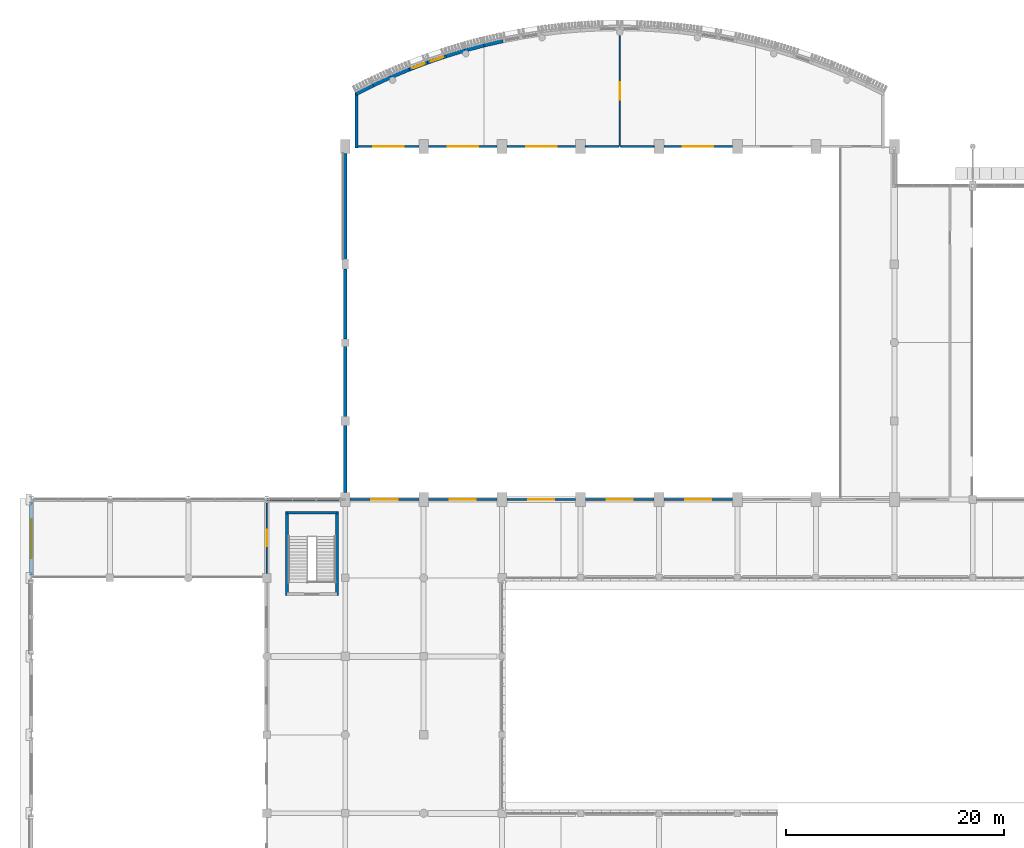
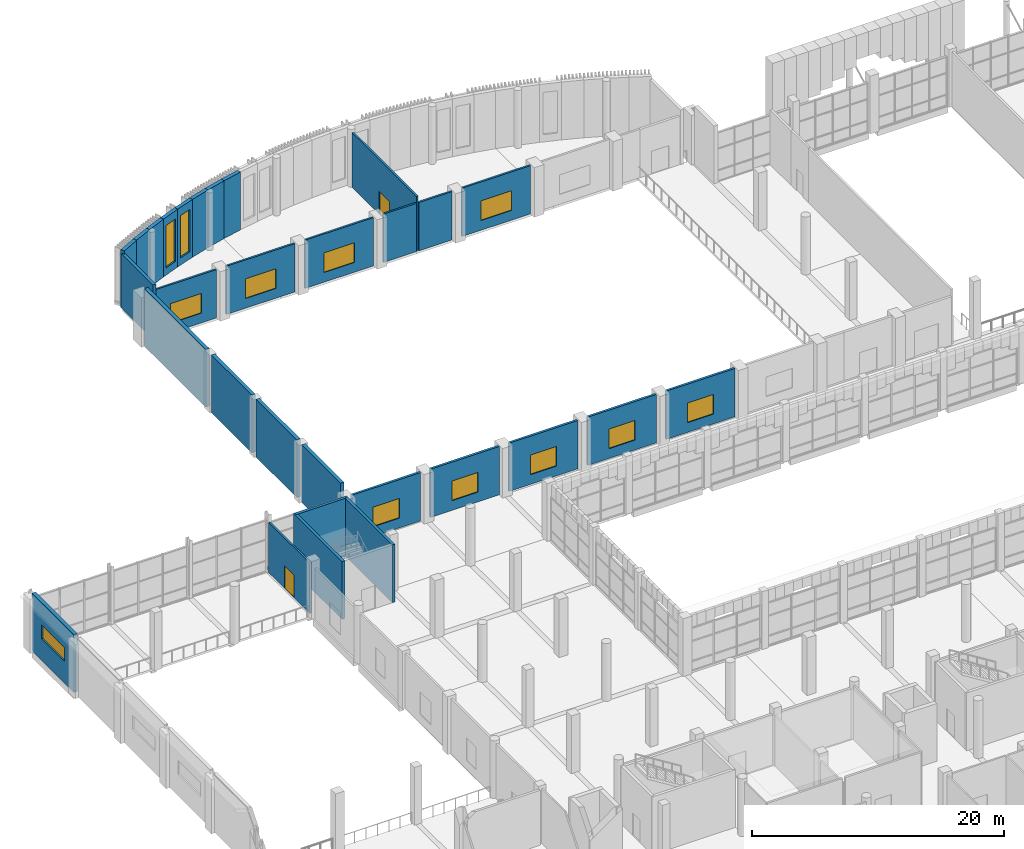
# One storey, part 56 of 80: 31 walls, 12 windows, 2 doors, 14 openings.
"""IFC4 building model written with IfcOpenShell, lengths in metres."""

import ifcopenshell
import ifcopenshell.guid

model = None  # the IFC model being written
_history = None  # IfcOwnerHistory: only IFC2X3 demands one
_inside = {}  # id of a spatial element -> (the spatial element, [elements in it])
_under = {}  # id of a project, library or spatial element -> (it, [spatial elements below it])
_declared = {}  # id of a project -> (the project, [libraries it declares])
_typed = {}  # id of a type object -> (the type object, [elements of that type])
_made_of = {}  # id of a material, layer set ... -> (it, [elements and type objects made of it])


def new_model(schema):
    """Start an empty IFC model of exactly this schema.

    Asked for "IFC4X3", IfcOpenShell would pick the latest addendum, in which some entities
    have other attributes; the version numbers below select the first issue.
    IFC2X3 requires an IfcOwnerHistory on every rooted entity: one is made here for all.
    """
    global model, _history
    if schema == "IFC4X3":
        model = ifcopenshell.file(schema_version=(4, 3, 0, 0))
    else:
        model = ifcopenshell.file(schema=schema)
    _inside.clear()
    _under.clear()
    _declared.clear()
    _typed.clear()
    _made_of.clear()
    _history = None
    if model.schema == "IFC2X3":
        org = make("IfcOrganization", Name="unknown")
        user = make(
            "IfcPersonAndOrganization",
            ThePerson=make("IfcPerson", FamilyName="unknown"),
            TheOrganization=org,
        )
        app = make(
            "IfcApplication",
            ApplicationDeveloper=org,
            Version="unknown",
            ApplicationFullName="unknown",
            ApplicationIdentifier="unknown",
        )
        _history = make(
            "IfcOwnerHistory",
            OwningUser=user,
            OwningApplication=app,
            ChangeAction="ADDED",
            CreationDate=0,
        )
    return model


def make(cls, **values):
    """One entity of the class cls with the attributes given. An attribute that is None is left unset."""
    return model.create_entity(
        cls, **{name: value for name, value in values.items() if value is not None}
    )


def rooted(cls, **values):
    """An entity with a GlobalId (a new one), such as an element, a storey or a relation."""
    return make(cls, GlobalId=ifcopenshell.guid.new(), OwnerHistory=_history, **values)


def si_unit(unit_type, name, prefix=None):
    """IfcSIUnit, for example si_unit("LENGTHUNIT", "METRE", prefix="MILLI")."""
    return make("IfcSIUnit", UnitType=unit_type, Prefix=prefix, Name=name)


def assignment(units):
    """IfcUnitAssignment: the units of a project."""
    return None if units is None else make("IfcUnitAssignment", Units=units)


def point(xyz):
    """IfcCartesianPoint."""
    return None if xyz is None else make("IfcCartesianPoint", Coordinates=xyz)


def direction(xyz):
    """IfcDirection."""
    return None if xyz is None else make("IfcDirection", DirectionRatios=xyz)


def frame(location, z_axis=None, x_axis=None):
    """IfcAxis2Placement3D, a coordinate frame: its origin and axes. An axis left out is left unset."""
    return make(
        "IfcAxis2Placement3D",
        Location=point(location),
        Axis=direction(z_axis),
        RefDirection=direction(x_axis),
    )


def frame_2d(location, x_axis=None):
    """IfcAxis2Placement2D, a coordinate frame in the plane: its origin and x axis."""
    return make(
        "IfcAxis2Placement2D", Location=point(location), RefDirection=direction(x_axis)
    )


def origin():
    """The frame at (0, 0, 0) with its axes left unset."""
    return frame((0.0, 0.0, 0.0))


def place(relative_to, where):
    """IfcLocalPlacement: puts the frame where relative to a parent placement (None: the world)."""
    return make(
        "IfcLocalPlacement", PlacementRelTo=relative_to, RelativePlacement=where
    )


def context(
    kind, dimensions, precision=None, world=None, true_north=None, identifier=None
):
    """IfcGeometricRepresentationContext, for example the 3D "Model" context."""
    return make(
        "IfcGeometricRepresentationContext",
        ContextIdentifier=identifier,
        ContextType=kind,
        CoordinateSpaceDimension=dimensions,
        Precision=precision,
        WorldCoordinateSystem=world,
        TrueNorth=true_north,
    )


def subcontext(parent, identifier, kind, view, scale=None):
    """IfcGeometricRepresentationSubContext, for example "Body" below "Model"."""
    return make(
        "IfcGeometricRepresentationSubContext",
        ContextIdentifier=identifier,
        ContextType=kind,
        ParentContext=parent,
        TargetScale=scale,
        TargetView=view,
    )


def project(units=None, contexts=None):
    """IfcProject with its units and contexts."""
    return rooted(
        "IfcProject",
        Name="project",
        RepresentationContexts=contexts,
        UnitsInContext=assignment(units),
    )


def spatial(cls, under=None, at=None, **own):
    """A site, building, storey or space (cls), placed at a placement, below another one or the project."""
    s = rooted(cls, ObjectPlacement=at, **own)
    if under is not None:
        _under.setdefault(under.id(), (under, []))[1].append(s)
    return s


def polyline(points):
    """IfcPolyline through the points."""
    return make("IfcPolyline", Points=[point(p) for p in points])


def profile(cls, at=None, kind="AREA", **sizes):
    """A parametric profile (cls). Its sizes go by their IFC names, for example OverallWidth=200.0."""
    return make(cls, ProfileType=kind, Position=at, **sizes)


def rectangle(**sizes):
    """IfcRectangleProfileDef."""
    return profile("IfcRectangleProfileDef", **sizes)


def outline(outer, holes=None, kind="AREA"):
    """IfcArbitraryClosedProfileDef: a profile drawn as a closed curve; with holes, ...WithVoids."""
    if holes is None:
        return make("IfcArbitraryClosedProfileDef", ProfileType=kind, OuterCurve=outer)
    return make(
        "IfcArbitraryProfileDefWithVoids",
        ProfileType=kind,
        OuterCurve=outer,
        InnerCurves=holes,
    )


def extrude(swept, where, along, depth):
    """IfcExtrudedAreaSolid: the profile swept, set in the frame where, extruded along a direction by depth."""
    return make(
        "IfcExtrudedAreaSolid",
        SweptArea=swept,
        Position=where,
        ExtrudedDirection=direction(along),
        Depth=depth,
    )


def shape(context_of_items, identifier, shape_type, items):
    """IfcShapeRepresentation: the items that make up one representation, for example the "Body"."""
    return make(
        "IfcShapeRepresentation",
        ContextOfItems=context_of_items,
        RepresentationIdentifier=identifier,
        RepresentationType=shape_type,
        Items=items,
    )


def material(Name=None, Category=None):
    """IfcMaterial."""
    return make("IfcMaterial", Name=Name, Category=Category)


def layer(
    of_material, thickness, ventilated=None, Name=None, Category=None, Priority=None
):
    """IfcMaterialLayer: one layer of a wall or slab, of a material (None: an air gap)."""
    return make(
        "IfcMaterialLayer",
        Material=of_material,
        LayerThickness=thickness,
        IsVentilated=ventilated,
        Name=Name,
        Category=Category,
        Priority=Priority,
    )


def layer_set(layers, Name=None):
    """IfcMaterialLayerSet."""
    return make("IfcMaterialLayerSet", MaterialLayers=layers, LayerSetName=Name)


def made_of(thing, what):
    """Note that an element or type object is made of a material, layer set ...; save() writes the relation."""
    if what is not None:
        _made_of.setdefault(what.id(), (what, []))[1].append(thing)
    return thing


def type_object(cls, material=None, **own):
    """A type object (cls), such as IfcWallType, which elements share."""
    return made_of(rooted(cls, **own), material)


def element(
    cls,
    number,
    at=None,
    inside=None,
    cuts=None,
    type_object=None,
    material=None,
    context=None,
    identifier="Body",
    shape_type=None,
    held_by="IfcProductDefinitionShape",
    body=None,
    shapes=None,
    **own,
):
    """One element of the class cls, such as IfcWall. Its Tag is "e" and its number.

    at: its placement. inside: the storey or other place that contains it. cuts: it is an
    opening in that element (IfcRelVoidsElement). A single representation is given by context,
    identifier, shape_type and body (its items); several are given by shapes. held_by: the class
    of the entity that holds the representations. save() writes the other relations.
    """
    e = rooted(cls, Tag="e%d" % number, ObjectPlacement=at, **own)
    if body is not None:
        shapes = [shape(context, identifier, shape_type, body)]
    if shapes is not None:
        e.Representation = make(held_by, Representations=shapes)
    if inside is not None:
        _inside.setdefault(inside.id(), (inside, []))[1].append(e)
    if cuts is not None:
        rooted(
            "IfcRelVoidsElement", RelatingBuildingElement=cuts, RelatedOpeningElement=e
        )
    if type_object is not None:
        _typed.setdefault(type_object.id(), (type_object, []))[1].append(e)
    return made_of(e, material)


def fill(opening, filler):
    """IfcRelFillsElement: the door or window that sits in an opening."""
    return rooted(
        "IfcRelFillsElement",
        RelatingOpeningElement=opening,
        RelatedBuildingElement=filler,
    )


def aggregate(whole, parts):
    """IfcRelAggregates: a whole, such as a stair, and the parts it consists of."""
    return rooted("IfcRelAggregates", RelatingObject=whole, RelatedObjects=parts)


def save(model, path):
    """Write the relations noted so far, then the file.

    IfcRelAggregates (storeys below a building ...), IfcRelContainedInSpatialStructure (elements
    in a storey), IfcRelDefinesByType, IfcRelAssociatesMaterial and IfcRelDeclares: one each for
    every whole, place, type object, material and project.
    """
    for whole, parts in _under.values():
        aggregate(whole, parts)
    for where, things in _inside.values():
        rooted(
            "IfcRelContainedInSpatialStructure",
            RelatedElements=things,
            RelatingStructure=where,
        )
    for kind, things in _typed.values():
        rooted("IfcRelDefinesByType", RelatedObjects=things, RelatingType=kind)
    for what, things in _made_of.values():
        rooted("IfcRelAssociatesMaterial", RelatedObjects=things, RelatingMaterial=what)
    for by, libraries in _declared.values():
        rooted("IfcRelDeclares", RelatingContext=by, RelatedDefinitions=libraries)
    model.write(path)


model = new_model("IFC4")

# Units and contexts
model_context = context("Model", 3, precision=1e-05, world=origin(), true_north=direction((0.0, 1.0)))
body_context = subcontext(model_context, "Body", "Model", "MODEL_VIEW")
ifc_project = project(units=[si_unit("LENGTHUNIT", "METRE"), si_unit("AREAUNIT", "SQUARE_METRE"), si_unit("VOLUMEUNIT", "CUBIC_METRE"), si_unit("PLANEANGLEUNIT", "RADIAN"), si_unit("MASSUNIT", "GRAM", prefix="KILO")], contexts=[model_context])

# Site, building, storey
site_placement = place(None, origin())
site = spatial("IfcSite", under=ifc_project, at=site_placement, CompositionType="ELEMENT")
building_placement = place(site_placement, origin())
building = spatial("IfcBuilding", under=site, at=building_placement, Name="Sardonyx Promenade Sports Hall", CompositionType="ELEMENT")
storey_placement = place(building_placement, frame((0.0, 0.0, 5.60009765625)))
storey = spatial("IfcBuildingStorey", under=building, at=storey_placement, Name="L01", CompositionType="ELEMENT", Elevation=5.60009765625)

# Walls
ifc_material_1 = material(Name="Concrete C40/50", Category="concrete")
ifc_layer_1 = layer(ifc_material_1, 0.340087890625)
ifc_layer_set_1 = layer_set([ifc_layer_1], Name="Wall_Bow_Arc_340")
wall_type_1 = type_object("IfcWallType", Name="Wall_Bow_Arc_340", PredefinedType="SOLIDWALL", material=ifc_layer_set_1)
for number, where, z_axis, x_axis, name in (
    (1, (29.773681640625, 109.2119140625, 0.0), (0.0, 0.0, 1.0), (0.892821085875, 0.450411488104, 0.0), "Bowed promenade wall EW07 L01 CH01"),
    (2, (31.380859375, 110.022705078125, 0.0), (0.0, 0.0, 1.0), (0.907808472517, 0.419384998808, 0.0), "Bowed promenade wall EW07 L01 CH02"),
):
    element("IfcWall", number, at=place(storey_placement, frame(where, z_axis=z_axis, x_axis=x_axis)), inside=storey, type_object=wall_type_1, Name=name, PredefinedType="SOLIDWALL", context=body_context, shape_type="SweptSolid", body=[
        extrude(outline(polyline([(0.002943, -0.17), (1.797057, -0.17), (1.802943, 0.17), (-0.002943, 0.17), (0.002943, -0.17)])), origin(), (0.0, 0.0, 1.0), 5.599853515625),
    ])
wall_1_placement = place(storey_placement, frame((33.014892578125, 110.777587890625, 0.0), z_axis=(0.0, 0.0, 1.0), x_axis=(0.921803799964, 0.387656748131, 0.0)))
element("IfcWall", 3, at=wall_1_placement, inside=storey, type_object=wall_type_1, Name="Bowed promenade wall EW07 L01 CH03", PredefinedType="SOLIDWALL", context=body_context, shape_type="SweptSolid", body=[
    extrude(outline(polyline([(0.002943, -0.17), (1.797058, -0.17), (1.802943, 0.17), (-0.002943, 0.17), (0.002943, -0.17)])), origin(), (0.0, 0.0, 1.0), 5.599853515625),
])

# Wall, opening, window
wall_2_placement = place(storey_placement, frame((34.674072265625, 111.475341796875, 0.0), z_axis=(0.0, 0.0, 1.0), x_axis=(0.934674543416, 0.35550456803, 0.0)))
wall_2 = element("IfcWall", 4, at=wall_2_placement, inside=storey, type_object=wall_type_1, Name="Bowed promenade wall EW07 L01 CH04", PredefinedType="SOLIDWALL", context=body_context, shape_type="SweptSolid", body=[
    extrude(outline(polyline([(0.002943, -0.17), (1.797057, -0.17), (1.802943, 0.17), (-0.002943, 0.17), (0.002943, -0.17)])), origin(), (0.0, 0.0, 1.0), 5.599853515625),
])
opening_1_placement = place(wall_2_placement, frame((0.31005859375, 0.0, 0.699951171875)))
opening_1 = element("IfcOpeningElement", 5, at=opening_1_placement, cuts=wall_2, Name="Opening W09", PredefinedType="OPENING", context=body_context, shape_type="SweptSolid", body=[
    extrude(rectangle(XDim=1.179931640625, YDim=4.10009765625, at=frame_2d((0.58984375, 2.050048828125))), frame((0.0, 0.18, 0.0), z_axis=(0.0, -1.0, 0.0), x_axis=(1.0, 0.0, 0.0)), (0.0, 0.0, 1.0), 0.36),
])
ifc_material_2 = material(Name="Double-glazed solar low-E aluminium window", Category="aluminium")
window_type_1 = type_object("IfcWindowType", Name="Win_Bow_Daylight", PartitioningType="SINGLE_PANEL", PredefinedType="WINDOW", material=ifc_material_2)
window_1_placement = place(opening_1_placement, origin())
window_1 = element("IfcWindow", 6, at=window_1_placement, inside=storey, type_object=window_type_1, Name="Harbour daylight bay window W09 L01 CH04", OverallHeight=4.10009765625, OverallWidth=1.179931640625, PartitioningType="SINGLE_PANEL", PredefinedType="WINDOW", context=body_context, shape_type="SweptSolid", body=[
    extrude(rectangle(XDim=1.179931640625, YDim=4.10009765625, at=frame_2d((0.58984375, 2.050048828125))), frame((0.0, 0.030029296875, 0.0), z_axis=(0.0, -1.0, 0.0), x_axis=(1.0, 0.0, 0.0)), (0.0, 0.0, 1.0), 0.06005859375),
])
fill(opening_1, window_1)

wall_3_placement = place(storey_placement, frame((36.3564453125, 112.115234375, 0.0), z_axis=(0.0, 0.0, 1.0), x_axis=(0.946421657721, 0.322933500578, 0.0)))
wall_3 = element("IfcWall", 7, at=wall_3_placement, inside=storey, type_object=wall_type_1, Name="Bowed promenade wall EW07 L01 CH05", PredefinedType="SOLIDWALL", context=body_context, shape_type="SweptSolid", body=[
    extrude(outline(polyline([(0.002943, -0.17), (1.797057, -0.17), (1.802942, 0.17), (-0.002943, 0.17), (0.002943, -0.17)])), origin(), (0.0, 0.0, 1.0), 5.599853515625),
])
opening_2_placement = place(wall_3_placement, frame((0.31005859375, 0.0, 0.699951171875)))
opening_2 = element("IfcOpeningElement", 8, at=opening_2_placement, cuts=wall_3, Name="Opening W09", PredefinedType="OPENING", context=body_context, shape_type="SweptSolid", body=[
    extrude(rectangle(XDim=1.179931640625, YDim=4.10009765625, at=frame_2d((0.58984375, 2.050048828125))), frame((0.0, 0.18, 0.0), z_axis=(0.0, -1.0, 0.0), x_axis=(1.0, 0.0, 0.0)), (0.0, 0.0, 1.0), 0.36),
])
window_2_placement = place(opening_2_placement, origin())
window_2 = element("IfcWindow", 9, at=window_2_placement, inside=storey, type_object=window_type_1, Name="Harbour daylight bay window W09 L01 CH05", OverallHeight=4.10009765625, OverallWidth=1.179931640625, PartitioningType="SINGLE_PANEL", PredefinedType="WINDOW", context=body_context, shape_type="SweptSolid", body=[
    extrude(rectangle(XDim=1.179931640625, YDim=4.10009765625, at=frame_2d((0.58984375, 2.050048828125))), frame((0.0, 0.030029296875, 0.0), z_axis=(0.0, -1.0, 0.0), x_axis=(1.0, 0.0, 0.0)), (0.0, 0.0, 1.0), 0.06005859375),
])
fill(opening_2, window_2)

# Walls
wall_4_placement = place(storey_placement, frame((38.06005859375, 112.696533203125, 0.0), z_axis=(0.0, 0.0, 1.0), x_axis=(0.956993600338, 0.290109029354, 0.0)))
element("IfcWall", 10, at=wall_4_placement, inside=storey, type_object=wall_type_1, Name="Bowed promenade wall EW07 L01 CH06", PredefinedType="SOLIDWALL", context=body_context, shape_type="SweptSolid", body=[
    extrude(outline(polyline([(0.002943, -0.17), (1.797057, -0.17), (1.802942, 0.17), (-0.002943, 0.17), (0.002943, -0.17)])), origin(), (0.0, 0.0, 1.0), 5.599853515625),
])
wall_5_placement = place(storey_placement, frame((39.78271484375, 113.21875, 0.0), z_axis=(0.0, 0.0, 1.0), x_axis=(0.966504582235, 0.256649357135, 0.0)))
element("IfcWall", 11, at=wall_5_placement, inside=storey, type_object=wall_type_1, Name="Bowed promenade wall EW07 L01 CH07", PredefinedType="SOLIDWALL", context=body_context, shape_type="SweptSolid", body=[
    extrude(outline(polyline([(0.002943, -0.17), (1.797058, -0.17), (1.802943, 0.17), (-0.002943, 0.17), (0.002943, -0.17)])), origin(), (0.0, 0.0, 1.0), 5.599853515625),
])
wall_6_placement = place(storey_placement, frame((41.522216796875, 113.6806640625, 0.0), z_axis=(0.0, 0.0, 1.0), x_axis=(0.974791962114, 0.223115733641, 0.0)))
element("IfcWall", 12, at=wall_6_placement, inside=storey, type_object=wall_type_1, Name="Bowed promenade wall EW07 L01 CH08", PredefinedType="SOLIDWALL", context=body_context, shape_type="SweptSolid", body=[
    extrude(outline(polyline([(0.002943, -0.17), (1.797057, -0.17), (1.802943, 0.17), (-0.002943, 0.17), (0.002943, -0.17)])), origin(), (0.0, 0.0, 1.0), 5.599853515625),
])

# Wall, opening, window
ifc_material_3 = material(Name="Concrete C40/50", Category="concrete")
ifc_layer_2 = layer(ifc_material_3, 0.320068359375)
ifc_layer_set_2 = layer_set([ifc_layer_2], Name="Wall_Ext_Court_320")
wall_type_2 = type_object("IfcWallType", Name="Wall_Ext_Court_320", PredefinedType="SOLIDWALL", material=ifc_layer_set_2)
wall_7_placement = place(storey_placement, frame((0.0, 65.080078125, 0.0), z_axis=(0.0, 0.0, 1.0), x_axis=(0.0, 1.0, 0.0)))
wall_7 = element("IfcWall", 13, at=wall_7_placement, inside=storey, type_object=wall_type_2, Name="Exterior wall EW01 L01 #147", PredefinedType="SOLIDWALL", context=body_context, shape_type="SweptSolid", body=[
    extrude(rectangle(XDim=6.639892578125, YDim=0.320068359375, at=frame_2d((3.31982421875, 0.0))), origin(), (0.0, 0.0, 1.0), 5.599853515625),
])
opening_3_placement = place(wall_7_placement, frame((1.52001953125, 0.0, 2.10009765625)))
opening_3 = element("IfcOpeningElement", 14, at=opening_3_placement, cuts=wall_7, Name="Opening W17", PredefinedType="OPENING", context=body_context, shape_type="SweptSolid", body=[
    extrude(rectangle(XDim=3.60009765625, YDim=1.35009765625, at=frame_2d((1.800048828125, 0.675048828125))), frame((0.0, 0.17, 0.0), z_axis=(0.0, -1.0, 0.0), x_axis=(1.0, 0.0, 0.0)), (0.0, 0.0, 1.0), 0.34),
])
ifc_material_4 = material(Name="Double-glazed solar low-E aluminium window", Category="aluminium")
window_type_2 = type_object("IfcWindowType", Name="Win_Clerestory_360x135", PartitioningType="DOUBLE_PANEL_VERTICAL", PredefinedType="WINDOW", material=ifc_material_4)
window_3_placement = place(opening_3_placement, origin())
window_3 = element("IfcWindow", 15, at=window_3_placement, inside=storey, type_object=window_type_2, Name="Facade window W17 L01 #63", OverallHeight=1.35009765625, OverallWidth=3.60009765625, PartitioningType="SINGLE_PANEL", PredefinedType="WINDOW", context=body_context, shape_type="SweptSolid", body=[
    extrude(rectangle(XDim=3.60009765625, YDim=1.35009765625, at=frame_2d((1.800048828125, 0.675048828125))), frame((0.0, 0.030029296875, 0.0), z_axis=(0.0, -1.0, 0.0), x_axis=(1.0, 0.0, 0.0)), (0.0, 0.0, 1.0), 0.06005859375),
])
fill(opening_3, window_3)

# Walls
wall_8_placement = place(storey_placement, frame((28.800048828125, 72.635009765625, 0.0), z_axis=(0.0, 0.0, 1.0), x_axis=(0.0, 1.0, 0.0)))
element("IfcWall", 16, at=wall_8_placement, inside=storey, type_object=wall_type_2, Name="Exterior wall EW01 L01 #210", PredefinedType="SOLIDWALL", context=body_context, shape_type="SweptSolid", body=[
    extrude(rectangle(XDim=6.179931640625, YDim=0.320068359375, at=frame_2d((3.08984375, 0.0))), origin(), (0.0, 0.0, 1.0), 5.599853515625),
])
wall_9_placement = place(storey_placement, frame((28.800048828125, 79.5849609375, 0.0), z_axis=(0.0, 0.0, 1.0), x_axis=(0.0, 1.0, 0.0)))
element("IfcWall", 17, at=wall_9_placement, inside=storey, type_object=wall_type_2, Name="Exterior wall EW01 L01 #211", PredefinedType="SOLIDWALL", context=body_context, shape_type="SweptSolid", body=[
    extrude(rectangle(XDim=6.47998046875, YDim=0.320068359375, at=frame_2d((3.239990234375, 0.0))), origin(), (0.0, 0.0, 1.0), 5.599853515625),
])
wall_10_placement = place(storey_placement, frame((28.800048828125, 86.735107421875, 0.0), z_axis=(0.0, 0.0, 1.0), x_axis=(0.0, 1.0, 0.0)))
element("IfcWall", 18, at=wall_10_placement, inside=storey, type_object=wall_type_2, Name="Exterior wall EW01 L01 #212", PredefinedType="SOLIDWALL", context=body_context, shape_type="SweptSolid", body=[
    extrude(rectangle(XDim=6.429931640625, YDim=0.320068359375, at=frame_2d((3.21484375, 0.0))), origin(), (0.0, 0.0, 1.0), 5.599853515625),
])
wall_11_placement = place(storey_placement, frame((28.800048828125, 94.034912109375, 0.0), z_axis=(0.0, 0.0, 1.0), x_axis=(0.0, 1.0, 0.0)))
element("IfcWall", 19, at=wall_11_placement, inside=storey, type_object=wall_type_2, Name="Exterior wall EW01 L01 #213", PredefinedType="SOLIDWALL", context=body_context, shape_type="SweptSolid", body=[
    extrude(rectangle(XDim=9.72998046875, YDim=0.320068359375, at=frame_2d((4.864990234375, 0.0))), origin(), (0.0, 0.0, 1.0), 5.599853515625),
])
ifc_material_5 = material(Name="Masonry CMU 15 MPa", Category="masonry")
ifc_layer_3 = layer(ifc_material_5, 0.239990234375)
ifc_layer_set_3 = layer_set([ifc_layer_3], Name="Wall_Ext_Spandrel_240")
wall_type_3 = type_object("IfcWallType", Name="Wall_Ext_Spandrel_240", PredefinedType="SOLIDWALL", material=ifc_layer_set_3)
wall_12_placement = place(storey_placement, frame((21.6044921875, 72.0, 0.0), z_axis=(0.0, 0.0, 1.0), x_axis=(1.0, 0.0, 0.0)))
element("IfcWall", 20, at=wall_12_placement, inside=storey, type_object=wall_type_3, Name="Curtain-wall sill spandrel L01 #172", PredefinedType="SOLIDWALL", context=body_context, shape_type="SweptSolid", body=[
    extrude(rectangle(XDim=6.760498046875, YDim=0.239990234375, at=frame_2d((3.38037109375, 0.0))), origin(), (0.0, 0.0, 1.0), 0.2998046875),
])
ifc_material_6 = material(Name="Concrete C40/50", Category="concrete")
ifc_layer_4 = layer(ifc_material_6, 0.280029296875)
ifc_layer_set_4 = layer_set([ifc_layer_4], Name="Wall_Ext_Wing_280")
wall_type_4 = type_object("IfcWallType", Name="Wall_Ext_Wing_280", PredefinedType="SOLIDWALL", material=ifc_layer_set_4)
wall_13_placement = place(storey_placement, frame((29.82373046875, 104.25, 0.0), z_axis=(0.0, 0.0, 1.0), x_axis=(0.0, 1.0, 0.0)))
element("IfcWall", 21, at=wall_13_placement, inside=storey, type_object=wall_type_4, Name="Bowed gallery west return wall L01", PredefinedType="SOLIDWALL", context=body_context, shape_type="SweptSolid", body=[
    extrude(rectangle(XDim=5.041748046875, YDim=0.280029296875, at=frame_2d((2.52099609375, 0.0))), origin(), (0.0, 0.0, 1.0), 5.289794921875),
])

# Wall, opening, door
ifc_material_7 = material(Name="Twin-stud acoustic gypsum partition", Category="gypsum")
ifc_layer_5 = layer(ifc_material_7, 0.169921875)
ifc_layer_set_5 = layer_set([ifc_layer_5], Name="Wall_Part_Acoust_170")
wall_type_5 = type_object("IfcWallType", Name="Wall_Part_Acoust_170", PredefinedType="PARTITIONING", material=ifc_layer_set_5)
wall_14_placement = place(storey_placement, frame((54.0, 104.39990234375, 0.0), z_axis=(0.0, 0.0, 1.0), x_axis=(0.0, 1.0, 0.0)))
wall_14 = element("IfcWall", 22, at=wall_14_placement, inside=storey, type_object=wall_type_5, Name="Interior partition PW06 L01 #384", PredefinedType="PARTITIONING", context=body_context, shape_type="SweptSolid", body=[
    extrude(rectangle(XDim=10.18017578125, YDim=0.169921875, at=frame_2d((5.090087890625, 0.0))), origin(), (0.0, 0.0, 1.0), 5.289794921875),
])
opening_4_placement = place(wall_14_placement, frame((4.2900390625, 0.0, 0.0)))
opening_4 = element("IfcOpeningElement", 23, at=opening_4_placement, cuts=wall_14, Name="Opening ID09", PredefinedType="OPENING", context=body_context, shape_type="SweptSolid", body=[
    extrude(rectangle(XDim=1.60009765625, YDim=2.199951171875, at=frame_2d((0.800048828125, 1.10009765625))), frame((0.0, 0.095, 0.0), z_axis=(0.0, -1.0, 0.0), x_axis=(1.0, 0.0, 0.0)), (0.0, 0.0, 1.0), 0.19),
])
ifc_material_8 = material(Name="Double hardwood vision-panel fire door FD60S", Category="wood")
door_type_1 = type_object("IfcDoorType", Name="Door_Lobby_FD60_160x220", OperationType="NOTDEFINED", PredefinedType="DOOR", material=ifc_material_8)
door_1_placement = place(opening_4_placement, origin())
door_1 = element("IfcDoor", 24, at=door_1_placement, inside=storey, type_object=door_type_1, Name="Interior door D01-125", OperationType="DOUBLE_DOOR_SINGLE_SWING", OverallHeight=2.199951171875, OverallWidth=1.60009765625, PredefinedType="DOOR", context=body_context, shape_type="SweptSolid", body=[
    extrude(rectangle(XDim=1.60009765625, YDim=2.199951171875, at=frame_2d((0.800048828125, 1.10009765625))), frame((0.0, 0.02490234375, 0.0), z_axis=(0.0, -1.0, 0.0), x_axis=(1.0, 0.0, 0.0)), (0.0, 0.0, 1.0), 0.050048828125),
])
fill(opening_4, door_1)

# Wall, opening, window
wall_15_placement = place(storey_placement, frame((29.9736328125, 104.39990234375, 0.0), z_axis=(0.0, 0.0, 1.0), x_axis=(1.0, 0.0, 0.0)))
wall_15 = element("IfcWall", 25, at=wall_15_placement, inside=storey, type_object=wall_type_5, Name="Interior partition PW06 L01 #385", PredefinedType="PARTITIONING", context=body_context, shape_type="SweptSolid", body=[
    extrude(rectangle(XDim=5.576416015625, YDim=0.169921875, at=frame_2d((2.7880859375, 0.0))), origin(), (0.0, 0.0, 1.0), 4.679931640625),
])
opening_5_placement = place(wall_15_placement, frame((1.38818359375, 0.0, 0.949951171875)))
opening_5 = element("IfcOpeningElement", 26, at=opening_5_placement, cuts=wall_15, Name="Opening IW06", PredefinedType="OPENING", context=body_context, shape_type="SweptSolid", body=[
    extrude(rectangle(XDim=2.800048828125, YDim=1.89990234375, at=frame_2d((1.39990234375, 0.949951171875))), frame((0.0, 0.095, 0.0), z_axis=(0.0, -1.0, 0.0), x_axis=(1.0, 0.0, 0.0)), (0.0, 0.0, 1.0), 0.19),
])
ifc_material_9 = material(Name="Acoustic laminated sports viewing glazing EI 60", Category="glass")
window_type_3 = type_object("IfcWindowType", Name="IWin_Arena_280x190", PartitioningType="DOUBLE_PANEL_VERTICAL", PredefinedType="WINDOW", material=ifc_material_9)
window_4_placement = place(opening_5_placement, origin())
window_4 = element("IfcWindow", 27, at=window_4_placement, inside=storey, type_object=window_type_3, Name="Internal viewing window IW06 L01 #19", OverallHeight=1.89990234375, OverallWidth=2.800048828125, PartitioningType="SINGLE_PANEL", PredefinedType="WINDOW", context=body_context, shape_type="SweptSolid", body=[
    extrude(rectangle(XDim=2.800048828125, YDim=1.89990234375, at=frame_2d((1.39990234375, 0.949951171875))), frame((0.0, 0.030029296875, 0.0), z_axis=(0.0, -1.0, 0.0), x_axis=(1.0, 0.0, 0.0)), (0.0, 0.0, 1.0), 0.06005859375),
])
fill(opening_5, window_4)

wall_16_placement = place(storey_placement, frame((36.449951171875, 104.39990234375, 0.0), z_axis=(0.0, 0.0, 1.0), x_axis=(1.0, 0.0, 0.0)))
wall_16 = element("IfcWall", 28, at=wall_16_placement, inside=storey, type_object=wall_type_5, Name="Interior partition PW06 L01 #386", PredefinedType="PARTITIONING", context=body_context, shape_type="SweptSolid", body=[
    extrude(rectangle(XDim=6.300048828125, YDim=0.169921875, at=frame_2d((3.14990234375, 0.0))), origin(), (0.0, 0.0, 1.0), 4.679931640625),
])
opening_6_placement = place(wall_16_placement, frame((1.75, 0.0, 0.949951171875)))
opening_6 = element("IfcOpeningElement", 29, at=opening_6_placement, cuts=wall_16, Name="Opening IW06", PredefinedType="OPENING", context=body_context, shape_type="SweptSolid", body=[
    extrude(rectangle(XDim=2.800048828125, YDim=1.89990234375, at=frame_2d((1.39990234375, 0.949951171875))), frame((0.0, 0.095, 0.0), z_axis=(0.0, -1.0, 0.0), x_axis=(1.0, 0.0, 0.0)), (0.0, 0.0, 1.0), 0.19),
])
window_5_placement = place(opening_6_placement, origin())
window_5 = element("IfcWindow", 30, at=window_5_placement, inside=storey, type_object=window_type_3, Name="Internal viewing window IW06 L01 #20", OverallHeight=1.89990234375, OverallWidth=2.800048828125, PartitioningType="SINGLE_PANEL", PredefinedType="WINDOW", context=body_context, shape_type="SweptSolid", body=[
    extrude(rectangle(XDim=2.800048828125, YDim=1.89990234375, at=frame_2d((1.39990234375, 0.949951171875))), frame((0.0, 0.030029296875, 0.0), z_axis=(0.0, -1.0, 0.0), x_axis=(1.0, 0.0, 0.0)), (0.0, 0.0, 1.0), 0.06005859375),
])
fill(opening_6, window_5)

wall_17_placement = place(storey_placement, frame((43.64990234375, 104.39990234375, 0.0), z_axis=(0.0, 0.0, 1.0), x_axis=(1.0, 0.0, 0.0)))
wall_17 = element("IfcWall", 31, at=wall_17_placement, inside=storey, type_object=wall_type_5, Name="Interior partition PW06 L01 #387", PredefinedType="PARTITIONING", context=body_context, shape_type="SweptSolid", body=[
    extrude(rectangle(XDim=6.300048828125, YDim=0.169921875, at=frame_2d((3.14990234375, 0.0))), origin(), (0.0, 0.0, 1.0), 4.679931640625),
])
opening_7_placement = place(wall_17_placement, frame((1.75, 0.0, 0.949951171875)))
opening_7 = element("IfcOpeningElement", 32, at=opening_7_placement, cuts=wall_17, Name="Opening IW06", PredefinedType="OPENING", context=body_context, shape_type="SweptSolid", body=[
    extrude(rectangle(XDim=2.800048828125, YDim=1.89990234375, at=frame_2d((1.39990234375, 0.949951171875))), frame((0.0, 0.095, 0.0), z_axis=(0.0, -1.0, 0.0), x_axis=(1.0, 0.0, 0.0)), (0.0, 0.0, 1.0), 0.19),
])
window_6_placement = place(opening_7_placement, origin())
window_6 = element("IfcWindow", 33, at=window_6_placement, inside=storey, type_object=window_type_3, Name="Internal viewing window IW06 L01 #21", OverallHeight=1.89990234375, OverallWidth=2.800048828125, PartitioningType="SINGLE_PANEL", PredefinedType="WINDOW", context=body_context, shape_type="SweptSolid", body=[
    extrude(rectangle(XDim=2.800048828125, YDim=1.89990234375, at=frame_2d((1.39990234375, 0.949951171875))), frame((0.0, 0.030029296875, 0.0), z_axis=(0.0, -1.0, 0.0), x_axis=(1.0, 0.0, 0.0)), (0.0, 0.0, 1.0), 0.06005859375),
])
fill(opening_7, window_6)

# Walls
for number, where, z_axis, x_axis, name in (
    (34, (50.85009765625, 104.39990234375, 0.0), (0.0, 0.0, 1.0), (1.0, 0.0, 0.0), "Interior partition PW06 L01 #388"),
    (35, (54.094970703125, 104.39990234375, 0.0), (0.0, 0.0, 1.0), (1.0, 0.0, 0.0), "Interior partition PW06 L01 #389"),
):
    element("IfcWall", number, at=place(storey_placement, frame(where, z_axis=z_axis, x_axis=x_axis)), inside=storey, type_object=wall_type_5, Name=name, PredefinedType="PARTITIONING", context=body_context, shape_type="SweptSolid", body=[
        extrude(rectangle(XDim=3.054931640625, YDim=0.169921875, at=frame_2d((1.52734375, 0.0))), origin(), (0.0, 0.0, 1.0), 4.679931640625),
    ])

# Wall, opening, window
wall_18_placement = place(storey_placement, frame((58.050048828125, 104.39990234375, 0.0), z_axis=(0.0, 0.0, 1.0), x_axis=(1.0, 0.0, 0.0)))
wall_18 = element("IfcWall", 36, at=wall_18_placement, inside=storey, type_object=wall_type_5, Name="Interior partition PW06 L01 #390", PredefinedType="PARTITIONING", context=body_context, shape_type="SweptSolid", body=[
    extrude(rectangle(XDim=6.300048828125, YDim=0.169921875, at=frame_2d((3.14990234375, 0.0))), origin(), (0.0, 0.0, 1.0), 4.679931640625),
])
opening_8_placement = place(wall_18_placement, frame((1.75, 0.0, 0.949951171875)))
opening_8 = element("IfcOpeningElement", 37, at=opening_8_placement, cuts=wall_18, Name="Opening IW06", PredefinedType="OPENING", context=body_context, shape_type="SweptSolid", body=[
    extrude(rectangle(XDim=2.800048828125, YDim=1.89990234375, at=frame_2d((1.39990234375, 0.949951171875))), frame((0.0, 0.095, 0.0), z_axis=(0.0, -1.0, 0.0), x_axis=(1.0, 0.0, 0.0)), (0.0, 0.0, 1.0), 0.19),
])
window_7_placement = place(opening_8_placement, origin())
window_7 = element("IfcWindow", 38, at=window_7_placement, inside=storey, type_object=window_type_3, Name="Internal viewing window IW06 L01 #22", OverallHeight=1.89990234375, OverallWidth=2.800048828125, PartitioningType="SINGLE_PANEL", PredefinedType="WINDOW", context=body_context, shape_type="SweptSolid", body=[
    extrude(rectangle(XDim=2.800048828125, YDim=1.89990234375, at=frame_2d((1.39990234375, 0.949951171875))), frame((0.0, 0.030029296875, 0.0), z_axis=(0.0, -1.0, 0.0), x_axis=(1.0, 0.0, 0.0)), (0.0, 0.0, 1.0), 0.06005859375),
])
fill(opening_8, window_7)

# Wall, opening, door
wall_19_placement = place(storey_placement, frame((21.60009765625, 65.199951171875, 0.0), z_axis=(0.0, 0.0, 1.0), x_axis=(0.0, 1.0, 0.0)))
wall_19 = element("IfcWall", 39, at=wall_19_placement, inside=storey, type_object=wall_type_5, Name="Interior partition PW06 L01 #493", PredefinedType="PARTITIONING", context=body_context, shape_type="SweptSolid", body=[
    extrude(rectangle(XDim=6.505126953125, YDim=0.169921875, at=frame_2d((3.25244140625, 0.0))), origin(), (0.0, 0.0, 1.0), 4.8798828125),
])
opening_9_placement = place(wall_19_placement, frame((2.50244140625, 0.0, 0.0)))
opening_9 = element("IfcOpeningElement", 40, at=opening_9_placement, cuts=wall_19, Name="Opening ID10", PredefinedType="OPENING", context=body_context, shape_type="SweptSolid", body=[
    extrude(rectangle(XDim=1.5, YDim=2.199951171875, at=frame_2d((0.75, 1.10009765625))), frame((0.0, 0.095, 0.0), z_axis=(0.0, -1.0, 0.0), x_axis=(1.0, 0.0, 0.0)), (0.0, 0.0, 1.0), 0.19),
])
ifc_material_10 = material(Name="Double studio entrance fire door FD30S", Category="wood")
door_type_2 = type_object("IfcDoorType", Name="Door_Corr_FD30_150x220", OperationType="NOTDEFINED", PredefinedType="DOOR", material=ifc_material_10)
door_2_placement = place(opening_9_placement, origin())
door_2 = element("IfcDoor", 41, at=door_2_placement, inside=storey, type_object=door_type_2, Name="Interior door D01-153", OperationType="DOUBLE_DOOR_SINGLE_SWING", OverallHeight=2.199951171875, OverallWidth=1.5, PredefinedType="DOOR", context=body_context, shape_type="SweptSolid", body=[
    extrude(rectangle(XDim=1.5, YDim=2.199951171875, at=frame_2d((0.75, 1.10009765625))), frame((0.0, 0.02490234375, 0.0), z_axis=(0.0, -1.0, 0.0), x_axis=(1.0, 0.0, 0.0)), (0.0, 0.0, 1.0), 0.050048828125),
])
fill(opening_9, door_2)

# Wall, opening, window
ifc_material_11 = material(Name="Masonry CMU 15 MPa", Category="masonry")
ifc_layer_6 = layer(ifc_material_11, 0.2099609375)
ifc_layer_set_6 = layer_set([ifc_layer_6], Name="Wall_Part_Block_210")
wall_type_6 = type_object("IfcWallType", Name="Wall_Part_Block_210", PredefinedType="PARTITIONING", material=ifc_layer_set_6)
wall_20_placement = place(storey_placement, frame((29.25, 72.0, 0.0), z_axis=(0.0, 0.0, 1.0), x_axis=(1.0, 0.0, 0.0)))
wall_20 = element("IfcWall", 42, at=wall_20_placement, inside=storey, type_object=wall_type_6, Name="Interior partition PW07 L01 #394", PredefinedType="PARTITIONING", context=body_context, shape_type="SweptSolid", body=[
    extrude(rectangle(XDim=6.300048828125, YDim=0.2099609375, at=frame_2d((3.14990234375, 0.0))), origin(), (0.0, 0.0, 1.0), 4.679931640625),
])
opening_10_placement = place(wall_20_placement, frame((1.949951171875, 0.0, 0.949951171875)))
opening_10 = element("IfcOpeningElement", 43, at=opening_10_placement, cuts=wall_20, Name="Opening IW03", PredefinedType="OPENING", context=body_context, shape_type="SweptSolid", body=[
    extrude(rectangle(XDim=2.39990234375, YDim=1.89990234375, at=frame_2d((1.199951171875, 0.949951171875))), frame((0.0, 0.115, 0.0), z_axis=(0.0, -1.0, 0.0), x_axis=(1.0, 0.0, 0.0)), (0.0, 0.0, 1.0), 0.23),
])
ifc_material_12 = material(Name="Acoustic laminated sports viewing glazing EI 60", Category="glass")
window_type_4 = type_object("IfcWindowType", Name="IWin_Arena_240x190", PartitioningType="DOUBLE_PANEL_VERTICAL", PredefinedType="WINDOW", material=ifc_material_12)
window_8_placement = place(opening_10_placement, origin())
window_8 = element("IfcWindow", 44, at=window_8_placement, inside=storey, type_object=window_type_4, Name="Internal viewing window IW03 L01 #24", OverallHeight=1.89990234375, OverallWidth=2.39990234375, PartitioningType="SINGLE_PANEL", PredefinedType="WINDOW", context=body_context, shape_type="SweptSolid", body=[
    extrude(rectangle(XDim=2.39990234375, YDim=1.89990234375, at=frame_2d((1.199951171875, 0.949951171875))), frame((0.0, 0.030029296875, 0.0), z_axis=(0.0, -1.0, 0.0), x_axis=(1.0, 0.0, 0.0)), (0.0, 0.0, 1.0), 0.06005859375),
])
fill(opening_10, window_8)

wall_21_placement = place(storey_placement, frame((36.449951171875, 72.0, 0.0), z_axis=(0.0, 0.0, 1.0), x_axis=(1.0, 0.0, 0.0)))
wall_21 = element("IfcWall", 45, at=wall_21_placement, inside=storey, type_object=wall_type_6, Name="Interior partition PW07 L01 #395", PredefinedType="PARTITIONING", context=body_context, shape_type="SweptSolid", body=[
    extrude(rectangle(XDim=6.300048828125, YDim=0.2099609375, at=frame_2d((3.14990234375, 0.0))), origin(), (0.0, 0.0, 1.0), 4.679931640625),
])
opening_11_placement = place(wall_21_placement, frame((1.949951171875, 0.0, 0.949951171875)))
opening_11 = element("IfcOpeningElement", 46, at=opening_11_placement, cuts=wall_21, Name="Opening IW03", PredefinedType="OPENING", context=body_context, shape_type="SweptSolid", body=[
    extrude(rectangle(XDim=2.39990234375, YDim=1.89990234375, at=frame_2d((1.199951171875, 0.949951171875))), frame((0.0, 0.115, 0.0), z_axis=(0.0, -1.0, 0.0), x_axis=(1.0, 0.0, 0.0)), (0.0, 0.0, 1.0), 0.23),
])
window_9_placement = place(opening_11_placement, origin())
window_9 = element("IfcWindow", 47, at=window_9_placement, inside=storey, type_object=window_type_4, Name="Internal viewing window IW03 L01 #25", OverallHeight=1.89990234375, OverallWidth=2.39990234375, PartitioningType="SINGLE_PANEL", PredefinedType="WINDOW", context=body_context, shape_type="SweptSolid", body=[
    extrude(rectangle(XDim=2.39990234375, YDim=1.89990234375, at=frame_2d((1.199951171875, 0.949951171875))), frame((0.0, 0.030029296875, 0.0), z_axis=(0.0, -1.0, 0.0), x_axis=(1.0, 0.0, 0.0)), (0.0, 0.0, 1.0), 0.06005859375),
])
fill(opening_11, window_9)

wall_22_placement = place(storey_placement, frame((43.64990234375, 72.0, 0.0), z_axis=(0.0, 0.0, 1.0), x_axis=(1.0, 0.0, 0.0)))
wall_22 = element("IfcWall", 48, at=wall_22_placement, inside=storey, type_object=wall_type_6, Name="Interior partition PW07 L01 #396", PredefinedType="PARTITIONING", context=body_context, shape_type="SweptSolid", body=[
    extrude(rectangle(XDim=6.300048828125, YDim=0.2099609375, at=frame_2d((3.14990234375, 0.0))), origin(), (0.0, 0.0, 1.0), 4.679931640625),
])
opening_12_placement = place(wall_22_placement, frame((1.949951171875, 0.0, 0.949951171875)))
opening_12 = element("IfcOpeningElement", 49, at=opening_12_placement, cuts=wall_22, Name="Opening IW03", PredefinedType="OPENING", context=body_context, shape_type="SweptSolid", body=[
    extrude(rectangle(XDim=2.39990234375, YDim=1.89990234375, at=frame_2d((1.199951171875, 0.949951171875))), frame((0.0, 0.115, 0.0), z_axis=(0.0, -1.0, 0.0), x_axis=(1.0, 0.0, 0.0)), (0.0, 0.0, 1.0), 0.23),
])
window_10_placement = place(opening_12_placement, origin())
window_10 = element("IfcWindow", 50, at=window_10_placement, inside=storey, type_object=window_type_4, Name="Internal viewing window IW03 L01 #26", OverallHeight=1.89990234375, OverallWidth=2.39990234375, PartitioningType="SINGLE_PANEL", PredefinedType="WINDOW", context=body_context, shape_type="SweptSolid", body=[
    extrude(rectangle(XDim=2.39990234375, YDim=1.89990234375, at=frame_2d((1.199951171875, 0.949951171875))), frame((0.0, 0.030029296875, 0.0), z_axis=(0.0, -1.0, 0.0), x_axis=(1.0, 0.0, 0.0)), (0.0, 0.0, 1.0), 0.06005859375),
])
fill(opening_12, window_10)

wall_23_placement = place(storey_placement, frame((50.85009765625, 72.0, 0.0), z_axis=(0.0, 0.0, 1.0), x_axis=(1.0, 0.0, 0.0)))
wall_23 = element("IfcWall", 51, at=wall_23_placement, inside=storey, type_object=wall_type_6, Name="Interior partition PW07 L01 #397", PredefinedType="PARTITIONING", context=body_context, shape_type="SweptSolid", body=[
    extrude(rectangle(XDim=6.2998046875, YDim=0.2099609375, at=frame_2d((3.14990234375, 0.0))), origin(), (0.0, 0.0, 1.0), 4.679931640625),
])
opening_13_placement = place(wall_23_placement, frame((1.949951171875, 0.0, 0.949951171875)))
opening_13 = element("IfcOpeningElement", 52, at=opening_13_placement, cuts=wall_23, Name="Opening IW03", PredefinedType="OPENING", context=body_context, shape_type="SweptSolid", body=[
    extrude(rectangle(XDim=2.39990234375, YDim=1.89990234375, at=frame_2d((1.199951171875, 0.949951171875))), frame((0.0, 0.115, 0.0), z_axis=(0.0, -1.0, 0.0), x_axis=(1.0, 0.0, 0.0)), (0.0, 0.0, 1.0), 0.23),
])
window_11_placement = place(opening_13_placement, origin())
window_11 = element("IfcWindow", 53, at=window_11_placement, inside=storey, type_object=window_type_4, Name="Internal viewing window IW03 L01 #27", OverallHeight=1.89990234375, OverallWidth=2.39990234375, PartitioningType="SINGLE_PANEL", PredefinedType="WINDOW", context=body_context, shape_type="SweptSolid", body=[
    extrude(rectangle(XDim=2.39990234375, YDim=1.89990234375, at=frame_2d((1.199951171875, 0.949951171875))), frame((0.0, 0.030029296875, 0.0), z_axis=(0.0, -1.0, 0.0), x_axis=(1.0, 0.0, 0.0)), (0.0, 0.0, 1.0), 0.06005859375),
])
fill(opening_13, window_11)

wall_24_placement = place(storey_placement, frame((58.050048828125, 72.0, 0.0), z_axis=(0.0, 0.0, 1.0), x_axis=(1.0, 0.0, 0.0)))
wall_24 = element("IfcWall", 54, at=wall_24_placement, inside=storey, type_object=wall_type_6, Name="Interior partition PW07 L01 #398", PredefinedType="PARTITIONING", context=body_context, shape_type="SweptSolid", body=[
    extrude(rectangle(XDim=6.300048828125, YDim=0.2099609375, at=frame_2d((3.14990234375, 0.0))), origin(), (0.0, 0.0, 1.0), 4.679931640625),
])
opening_14_placement = place(wall_24_placement, frame((1.949951171875, 0.0, 0.949951171875)))
opening_14 = element("IfcOpeningElement", 55, at=opening_14_placement, cuts=wall_24, Name="Opening IW03", PredefinedType="OPENING", context=body_context, shape_type="SweptSolid", body=[
    extrude(rectangle(XDim=2.39990234375, YDim=1.89990234375, at=frame_2d((1.199951171875, 0.949951171875))), frame((0.0, 0.115, 0.0), z_axis=(0.0, -1.0, 0.0), x_axis=(1.0, 0.0, 0.0)), (0.0, 0.0, 1.0), 0.23),
])
window_12_placement = place(opening_14_placement, origin())
window_12 = element("IfcWindow", 56, at=window_12_placement, inside=storey, type_object=window_type_4, Name="Internal viewing window IW03 L01 #28", OverallHeight=1.89990234375, OverallWidth=2.39990234375, PartitioningType="SINGLE_PANEL", PredefinedType="WINDOW", context=body_context, shape_type="SweptSolid", body=[
    extrude(rectangle(XDim=2.39990234375, YDim=1.89990234375, at=frame_2d((1.199951171875, 0.949951171875))), frame((0.0, 0.030029296875, 0.0), z_axis=(0.0, -1.0, 0.0), x_axis=(1.0, 0.0, 0.0)), (0.0, 0.0, 1.0), 0.06005859375),
])
fill(opening_14, window_12)

# Walls
ifc_material_13 = material(Name="Concrete C40/50", Category="concrete")
ifc_layer_7 = layer(ifc_material_13, 0.25)
ifc_layer_set_7 = layer_set([ifc_layer_7], Name="Wall_Stair_Shear_250")
wall_type_7 = type_object("IfcWallType", Name="Wall_Stair_Shear_250", PredefinedType="SHEAR", material=ifc_layer_set_7)
wall_25_placement = place(storey_placement, frame((23.449951171875, 63.199951171875, 0.0), z_axis=(0.0, 0.0, 1.0), x_axis=(0.0, 1.0, 0.0)))
element("IfcWall", 57, at=wall_25_placement, inside=storey, type_object=wall_type_7, Name="Stair shaft wall ST7 L01 N", PredefinedType="SHEAR", context=body_context, shape_type="SweptSolid", body=[
    extrude(rectangle(XDim=7.699951171875, YDim=0.25, at=frame_2d((3.85009765625, 0.0))), origin(), (0.0, 0.0, 1.0), 5.599853515625),
])
wall_26_placement = place(storey_placement, frame((23.449951171875, 70.77490234375, 0.0), z_axis=(0.0, 0.0, 1.0), x_axis=(1.0, 0.0, 0.0)))
element("IfcWall", 58, at=wall_26_placement, inside=storey, type_object=wall_type_7, Name="Stair shaft wall ST7 L01 E", PredefinedType="SHEAR", context=body_context, shape_type="SweptSolid", body=[
    extrude(rectangle(XDim=4.60009765625, YDim=0.25, at=frame_2d((2.300048828125, 0.0))), origin(), (0.0, 0.0, 1.0), 5.599853515625),
])
wall_27_placement = place(storey_placement, frame((28.050048828125, 70.89990234375, 0.0), z_axis=(0.0, 0.0, 1.0), x_axis=(0.0, -1.0, 0.0)))
element("IfcWall", 59, at=wall_27_placement, inside=storey, type_object=wall_type_7, Name="Stair shaft wall ST7 L01 S", PredefinedType="SHEAR", context=body_context, shape_type="SweptSolid", body=[
    extrude(rectangle(XDim=7.699951171875, YDim=0.25, at=frame_2d((3.85009765625, 0.0))), origin(), (0.0, 0.0, 1.0), 5.599853515625),
])

save(model, "model.ifc")
